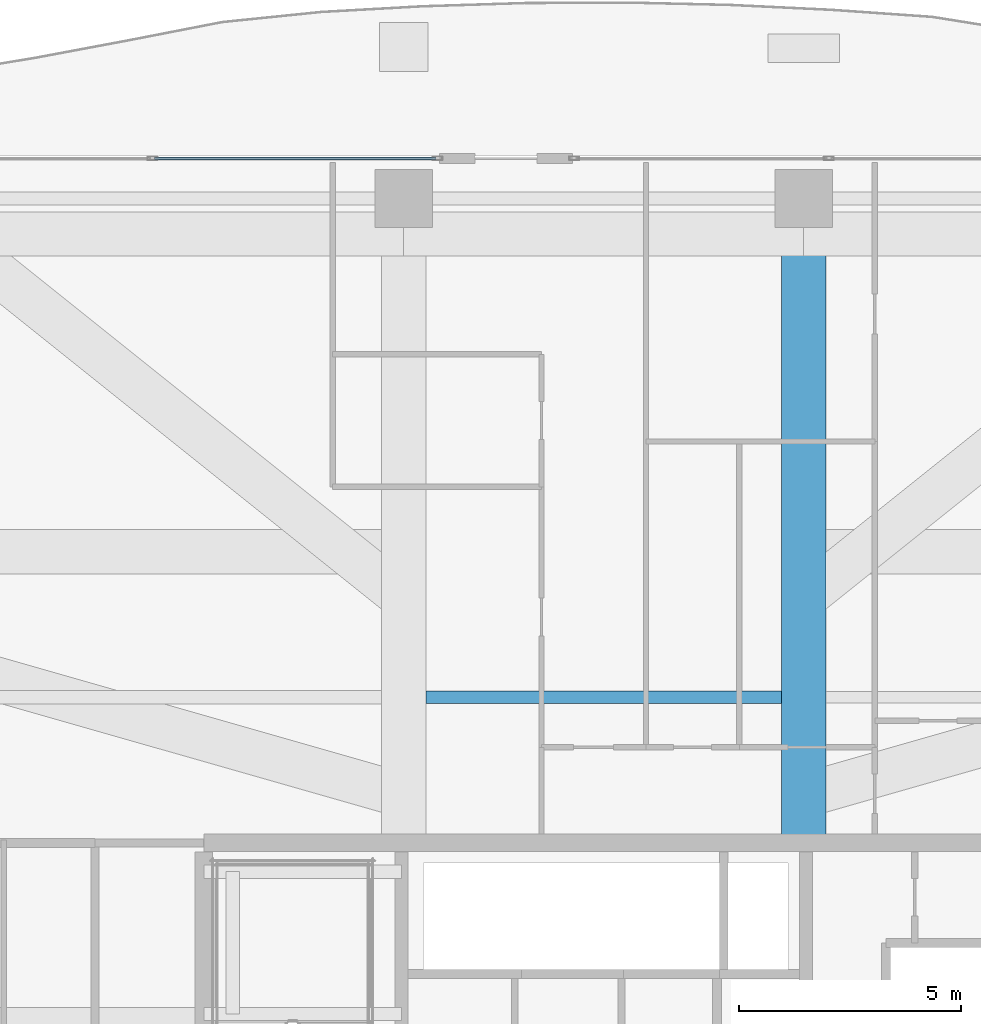
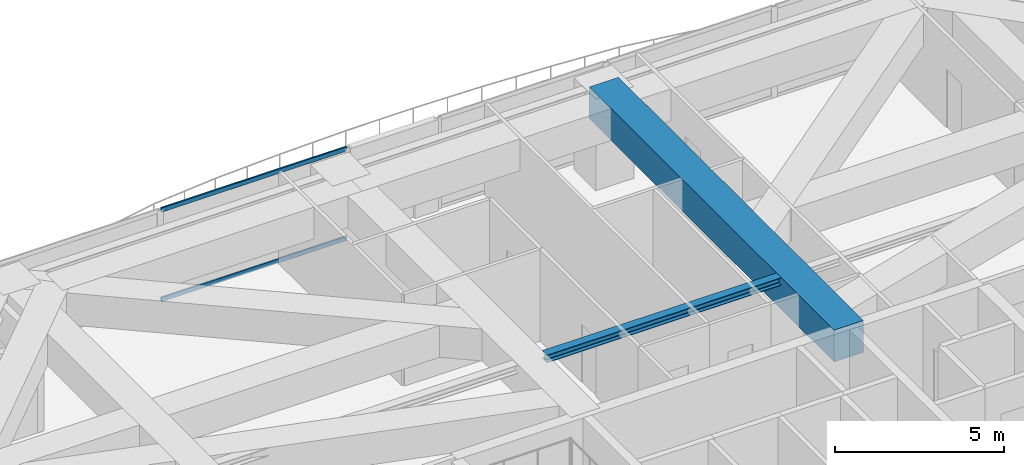
# One storey, part 17 of 32: 2 beams, 2 members, 1 element without a shape of its own.
"""IFC4 building model written with IfcOpenShell, lengths in metres."""

from ifc_helpers import new_model, si_unit, direction, frame, origin, origin_2d, place, context, subcontext, project, spatial, rectangle, hollow_rectangle, i_section, extrude, source, transform, mapped, material, layer, layer_set, material_profile, profile_set, type_object, element, aggregate, save


model = new_model("IFC4")

# Units and contexts
model_context = context("Model", 3, precision=1e-05, world=origin(), true_north=direction((0.0, 1.0)))
body_context = subcontext(model_context, "Body", "Model", "MODEL_VIEW")
ifc_project = project(units=[si_unit("LENGTHUNIT", "METRE"), si_unit("AREAUNIT", "SQUARE_METRE"), si_unit("VOLUMEUNIT", "CUBIC_METRE"), si_unit("PLANEANGLEUNIT", "RADIAN"), si_unit("MASSUNIT", "GRAM", prefix="KILO")], contexts=[model_context])

# Site, building, storey
site_placement = place(None, origin())
site = spatial("IfcSite", under=ifc_project, at=site_placement, CompositionType="ELEMENT")
building_placement = place(site_placement, origin())
building = spatial("IfcBuilding", under=site, at=building_placement, Name="Serunith Strait Residences", CompositionType="ELEMENT")
storey_placement = place(building_placement, frame((0.0, 0.0, 195.14990234375)))
storey = spatial("IfcBuildingStorey", under=building, at=storey_placement, Name="L49", CompositionType="ELEMENT", Elevation=195.14990234375)

# Beams
ifc_material_1 = material(Name="Steel S355J2", Category="steel")
ifc_material_profile_1 = material_profile(ifc_material_1, i_section(OverallWidth=0.280029296875, OverallDepth=0.280029296875, WebThickness=0.010498046875, FlangeThickness=0.01806640625, FilletRadius=0.02392578125, at=origin_2d()), Name="HEB 280")
ifc_profile_set_1 = profile_set([ifc_material_profile_1], Name="Steel S355J2")
beam_type_1 = type_object("IfcBeamType", Name="BM-HEB280", PredefinedType="JOIST", material=ifc_profile_set_1)
shared_shape_1 = source(origin(), body_context, "Body", "SweptSolid", [
    extrude(i_section(OverallWidth=0.280029296875, OverallDepth=0.280029296875, WebThickness=0.010498046875, FlangeThickness=0.01806640625, FilletRadius=0.02392578125, at=origin_2d()), origin(), (0.0, 0.0, 1.0), 8.0),
])
beam_1_placement = place(storey_placement, frame((28.39990234375, 36.875, 3.1669921875), z_axis=(1.0, 0.0, 0.0), x_axis=(0.0, 1.0, 0.0)))
element("IfcBeam", 1, at=beam_1_placement, inside=storey, type_object=beam_type_1, Name="L49 Composite Floor Joist 05", PredefinedType="JOIST", context=body_context, shape_type="MappedRepresentation", body=[
    mapped(shared_shape_1, transform((0.0, 0.0, 0.0), scale=1.0)),
])
ifc_material_2 = material(Name="Concrete C80/95", Category="concrete")
ifc_material_profile_2 = material_profile(ifc_material_2, rectangle(XDim=1.0, YDim=1.14990234375, at=origin_2d()), Name="RC 1000x1150")
ifc_profile_set_2 = profile_set([ifc_material_profile_2], Name="Concrete C80/95")
beam_type_2 = type_object("IfcBeamType", Name="BM-XFER-1000x1150", PredefinedType="BEAM", material=ifc_profile_set_2)
shared_shape_2 = source(origin(), body_context, "Body", "SweptSolid", [
    extrude(rectangle(XDim=1.0, YDim=1.14990234375, at=origin_2d()), origin(), (0.0, 0.0, 1.0), 14.5),
])
beam_2_placement = place(storey_placement, frame((36.89990234375, 33.60009765625, 2.735107421875), z_axis=(0.0, 1.0, 0.0), x_axis=(-1.0, 0.0, 0.0)))
element("IfcBeam", 2, at=beam_2_placement, inside=storey, type_object=beam_type_2, Name="L49 Primary Floor Girder TC-N3", PredefinedType="BEAM", context=body_context, shape_type="MappedRepresentation", body=[
    mapped(shared_shape_2, transform((0.0, 0.0, 0.0), scale=1.0)),
])

# Curtain wall, members
ifc_material_3 = material(Name="Pale-Silver PVDF Aluminium", Category="aluminium")
ifc_layer = layer(ifc_material_3, 0.199951171875, Name="Pale-Silver PVDF Aluminium")
ifc_layer_set = layer_set([ifc_layer], Name="Pale-Silver PVDF Aluminium")
curtain_wall_type = type_object("IfcCurtainWallType", Name="CW-SYS3", PredefinedType="NOTDEFINED", material=ifc_layer_set)
curtain_wall_placement = place(storey_placement, origin())
curtain_wall = element("IfcCurtainWall", 3, at=curtain_wall_placement, inside=storey, type_object=curtain_wall_type, Name="L49 N Unitised Fritted Curtain Wall", PredefinedType="NOTDEFINED")
ifc_material_profile_3 = material_profile(ifc_material_3, hollow_rectangle(XDim=0.06005859375, YDim=0.159912109375, WallThickness=0.00341796875, InnerFilletRadius=0.00537109375, OuterFilletRadius=0.0087890625, at=origin_2d()), Name="ALU 160x60x3.5")
ifc_profile_set_3 = profile_set([ifc_material_profile_3], Name="Pale-Silver PVDF Aluminium")
member_type = type_object("IfcMemberType", Name="CW-SYS3-TRAN", PredefinedType="USERDEFINED", material=ifc_profile_set_3)
shared_shape_3 = source(origin(), body_context, "Body", "SweptSolid", [
    extrude(hollow_rectangle(XDim=0.06005859375, YDim=0.159912109375, WallThickness=0.00341796875, InnerFilletRadius=0.00537109375, OuterFilletRadius=0.0087890625, at=origin_2d()), origin(), (0.0, 0.0, 1.0), 6.33740234375),
])
member_1_placement = place(storey_placement, frame((28.625, 49.0, 0.030029296875), z_axis=(-1.0, 0.0, 0.0), x_axis=(0.0, -1.0, 0.0)))
member_1 = element("IfcMember", 4, at=member_1_placement, type_object=member_type, Name="CW-3 transom 1.1", ObjectType="TRANSOM", PredefinedType="USERDEFINED", context=body_context, shape_type="MappedRepresentation", body=[
    mapped(shared_shape_3, transform((0.0, 0.0, 0.0), scale=1.0)),
])
member_2_placement = place(storey_placement, frame((28.625, 49.0, 3.26513671875), z_axis=(-1.0, 0.0, 0.0), x_axis=(0.0, -1.0, 0.0)))
member_2 = element("IfcMember", 5, at=member_2_placement, type_object=member_type, Name="CW-3 transom 1.2", ObjectType="TRANSOM", PredefinedType="USERDEFINED", context=body_context, shape_type="MappedRepresentation", body=[
    mapped(shared_shape_3, transform((0.0, 0.0, 0.0), scale=1.0)),
])
aggregate(curtain_wall, [member_1, member_2])

save(model, "model.ifc")
